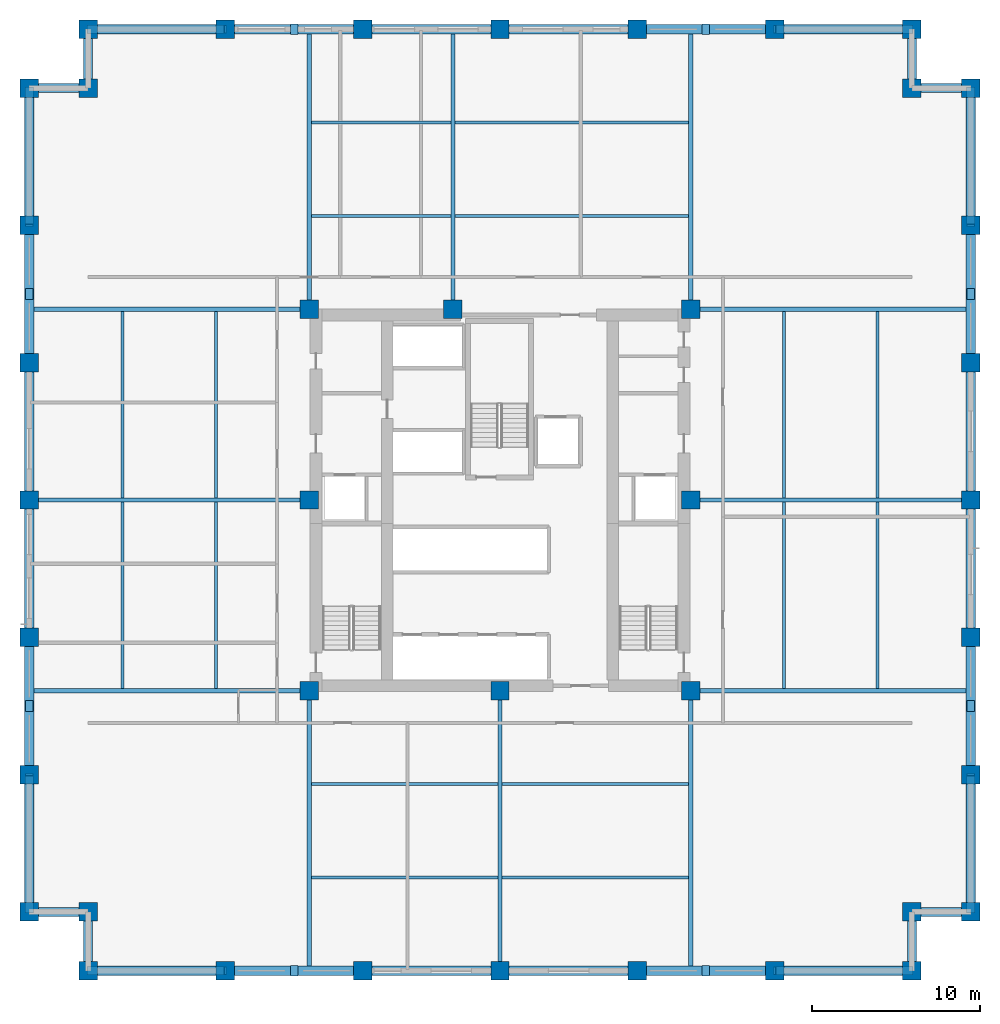
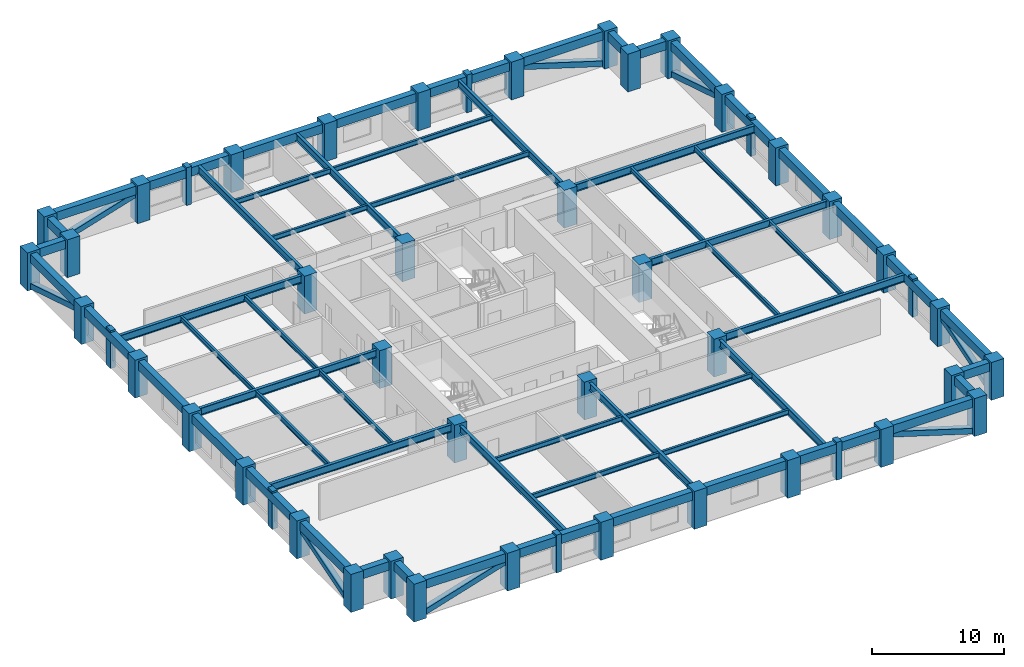
# One storey, part 1 of 9: 60 beams, 40 columns, 16 members.
"""IFC4 building model written with IfcOpenShell, lengths in metres."""

from ifc_helpers import new_model, si_unit, direction, frame, origin, origin_2d, place, context, subcontext, project, spatial, rectangle, hollow_rectangle, i_section, extrude, material, material_profile, profile_set, type_object, element, save


model = new_model("IFC4")

# Units and contexts
model_context = context("Model", 3, precision=1e-05, world=origin(), true_north=direction((0.0, 1.0)))
body_context = subcontext(model_context, "Body", "Model", "MODEL_VIEW")
ifc_project = project(units=[si_unit("LENGTHUNIT", "METRE"), si_unit("AREAUNIT", "SQUARE_METRE"), si_unit("VOLUMEUNIT", "CUBIC_METRE"), si_unit("PLANEANGLEUNIT", "RADIAN"), si_unit("MASSUNIT", "GRAM", prefix="KILO")], contexts=[model_context])

# Site, building, storey
site_placement = place(None, origin())
site = spatial("IfcSite", under=ifc_project, at=site_placement, CompositionType="ELEMENT")
building_placement = place(site_placement, origin())
building = spatial("IfcBuilding", under=site, at=building_placement, Name="Nhamokura Convention Tower", CompositionType="ELEMENT")
storey_placement = place(building_placement, frame((0.0, 0.0, 85.75)))
storey = spatial("IfcBuildingStorey", under=building, at=storey_placement, Name="L20", CompositionType="ELEMENT", Elevation=85.75)

# Columns
ifc_material_1 = material(Name="Concrete C60/75", Category="concrete")
ifc_material_profile_1 = material_profile(ifc_material_1, rectangle(XDim=1.10009765625, YDim=1.10009765625, at=origin_2d()))
ifc_profile_set_1 = profile_set([ifc_material_profile_1], Name="Concrete C60/75")
column_type = type_object("IfcColumnType", Name="TubeColumn_Z1_1100", PredefinedType="COLUMN", material=ifc_profile_set_1)
for number, where, z_axis, x_axis, name in (
    (1, (20.64990234375, 20.64990234375, 0.0), (0.0, 0.0, 1.0), (1.0, 0.0, 0.0), "L20 Core Column CC-SW"),
    (2, (32.0, 20.64990234375, 0.0), (0.0, 0.0, 1.0), (1.0, 0.0, 0.0), "L20 Core Column CC-S"),
    (3, (43.35009765625, 20.64990234375, 0.0), (0.0, 0.0, 1.0), (1.0, 0.0, 0.0), "L20 Core Column CC-SE"),
    (4, (43.35009765625, 32.0, 0.0), (0.0, 0.0, 1.0), (1.0, 0.0, 0.0), "L20 Core Column CC-E"),
    (5, (43.35009765625, 43.35009765625, 0.0), (0.0, 0.0, 1.0), (1.0, 0.0, 0.0), "L20 Core Column CC-NE"),
    (6, (29.199951171875, 43.35009765625, 0.0), (0.0, 0.0, 1.0), (1.0, 0.0, 0.0), "L20 Core Column CC-N"),
    (7, (20.64990234375, 43.35009765625, 0.0), (0.0, 0.0, 1.0), (1.0, 0.0, 0.0), "L20 Core Column CC-NW"),
    (8, (20.64990234375, 32.0, 0.0), (0.0, 0.0, 1.0), (1.0, 0.0, 0.0), "L20 Core Column CC-W"),
    (9, (7.5, 4.0, 0.0), (0.0, 0.0, 1.0), (1.0, 0.0, 0.0), "L20 Perimeter Tube Column SW1"),
    (10, (7.5, 7.5, 0.0), (0.0, 0.0, 1.0), (1.0, 0.0, 0.0), "L20 Perimeter Tube Column SW0"),
    (11, (4.0, 7.5, 0.0), (0.0, 0.0, 1.0), (1.0, 0.0, 0.0), "L20 Perimeter Tube Column SW2"),
    (12, (56.5, 4.0, 0.0), (0.0, 0.0, 1.0), (1.0, 0.0, 0.0), "L20 Perimeter Tube Column SE1"),
    (13, (56.5, 7.5, 0.0), (0.0, 0.0, 1.0), (1.0, 0.0, 0.0), "L20 Perimeter Tube Column SE0"),
    (14, (60.0, 7.5, 0.0), (0.0, 0.0, 1.0), (1.0, 0.0, 0.0), "L20 Perimeter Tube Column SE2"),
    (15, (60.0, 56.5, 0.0), (0.0, 0.0, 1.0), (1.0, 0.0, 0.0), "L20 Perimeter Tube Column NE1"),
    (16, (56.5, 56.5, 0.0), (0.0, 0.0, 1.0), (1.0, 0.0, 0.0), "L20 Perimeter Tube Column NE0"),
    (17, (56.5, 60.0, 0.0), (0.0, 0.0, 1.0), (1.0, 0.0, 0.0), "L20 Perimeter Tube Column NE2"),
    (18, (7.5, 60.0, 0.0), (0.0, 0.0, 1.0), (1.0, 0.0, 0.0), "L20 Perimeter Tube Column NW1"),
    (19, (7.5, 56.5, 0.0), (0.0, 0.0, 1.0), (1.0, 0.0, 0.0), "L20 Perimeter Tube Column NW0"),
    (20, (4.0, 56.5, 0.0), (0.0, 0.0, 1.0), (1.0, 0.0, 0.0), "L20 Perimeter Tube Column NW2"),
    (21, (15.666748046875, 4.0, 0.0), (0.0, 0.0, 1.0), (1.0, 0.0, 0.0), "L20 Perimeter Tube Column S1"),
    (22, (15.666748046875, 60.0, 0.0), (0.0, 0.0, 1.0), (1.0, 0.0, 0.0), "L20 Perimeter Tube Column N1"),
    (23, (4.0, 15.666748046875, 0.0), (0.0, 0.0, 1.0), (1.0, 0.0, 0.0), "L20 Perimeter Tube Column W1"),
    (24, (60.0, 15.666748046875, 0.0), (0.0, 0.0, 1.0), (1.0, 0.0, 0.0), "L20 Perimeter Tube Column E1"),
    (25, (23.833251953125, 4.0, 0.0), (0.0, 0.0, 1.0), (1.0, 0.0, 0.0), "L20 Perimeter Tube Column S2"),
    (26, (23.833251953125, 60.0, 0.0), (0.0, 0.0, 1.0), (1.0, 0.0, 0.0), "L20 Perimeter Tube Column N2"),
    (27, (4.0, 23.833251953125, 0.0), (0.0, 0.0, 1.0), (1.0, 0.0, 0.0), "L20 Perimeter Tube Column W2"),
    (28, (60.0, 23.833251953125, 0.0), (0.0, 0.0, 1.0), (1.0, 0.0, 0.0), "L20 Perimeter Tube Column E2"),
    (29, (32.0, 4.0, 0.0), (0.0, 0.0, 1.0), (1.0, 0.0, 0.0), "L20 Perimeter Tube Column S3"),
    (30, (32.0, 60.0, 0.0), (0.0, 0.0, 1.0), (1.0, 0.0, 0.0), "L20 Perimeter Tube Column N3"),
    (31, (4.0, 32.0, 0.0), (0.0, 0.0, 1.0), (1.0, 0.0, 0.0), "L20 Perimeter Tube Column W3"),
    (32, (60.0, 32.0, 0.0), (0.0, 0.0, 1.0), (1.0, 0.0, 0.0), "L20 Perimeter Tube Column E3"),
    (33, (40.166748046875, 4.0, 0.0), (0.0, 0.0, 1.0), (1.0, 0.0, 0.0), "L20 Perimeter Tube Column S4"),
    (34, (40.166748046875, 60.0, 0.0), (0.0, 0.0, 1.0), (1.0, 0.0, 0.0), "L20 Perimeter Tube Column N4"),
    (35, (4.0, 40.166748046875, 0.0), (0.0, 0.0, 1.0), (1.0, 0.0, 0.0), "L20 Perimeter Tube Column W4"),
    (36, (60.0, 40.166748046875, 0.0), (0.0, 0.0, 1.0), (1.0, 0.0, 0.0), "L20 Perimeter Tube Column E4"),
    (37, (48.333251953125, 4.0, 0.0), (0.0, 0.0, 1.0), (1.0, 0.0, 0.0), "L20 Perimeter Tube Column S5"),
    (38, (48.333251953125, 60.0, 0.0), (0.0, 0.0, 1.0), (1.0, 0.0, 0.0), "L20 Perimeter Tube Column N5"),
    (39, (4.0, 48.333251953125, 0.0), (0.0, 0.0, 1.0), (1.0, 0.0, 0.0), "L20 Perimeter Tube Column W5"),
    (40, (60.0, 48.333251953125, 0.0), (0.0, 0.0, 1.0), (1.0, 0.0, 0.0), "L20 Perimeter Tube Column E5"),
):
    element("IfcColumn", number, at=place(storey_placement, frame(where, z_axis=z_axis, x_axis=x_axis)), inside=storey, type_object=column_type, Name=name, PredefinedType="COLUMN", context=body_context, shape_type="SweptSolid", body=[
        extrude(rectangle(XDim=1.10009765625, YDim=1.10009765625, at=origin_2d()), origin(), (0.0, 0.0, 1.0), 3.5),
    ])

# Members
ifc_material_2 = material(Name="Bronze-pigmented precast concrete C45/55", Category="concrete")
ifc_material_profile_2 = material_profile(ifc_material_2, rectangle(XDim=0.449951171875, YDim=0.64990234375, at=origin_2d()))
ifc_profile_set_2 = profile_set([ifc_material_profile_2], Name="Bronze-pigmented precast concrete C45/55")
member_type_1 = type_object("IfcMemberType", Name="BronzePilaster_650", PredefinedType="USERDEFINED", material=ifc_profile_set_2)
for number, where, z_axis, x_axis, name in (
    (41, (19.75, 4.0, 0.0), (0.0, 0.0, 1.0), (1.0, 0.0, 0.0), "L20 Engaged Frame Pilaster SOUTH 1"),
    (42, (44.25, 4.0, 0.0), (0.0, 0.0, 1.0), (1.0, 0.0, 0.0), "L20 Engaged Frame Pilaster SOUTH 4"),
    (43, (19.75, 60.0, 0.0), (0.0, 0.0, 1.0), (1.0, 0.0, 0.0), "L20 Engaged Frame Pilaster NORTH 1"),
    (44, (44.25, 60.0, 0.0), (0.0, 0.0, 1.0), (1.0, 0.0, 0.0), "L20 Engaged Frame Pilaster NORTH 4"),
    (45, (4.0, 19.75, 0.0), (0.0, 0.0, 1.0), (1.0, 0.0, 0.0), "L20 Engaged Frame Pilaster WEST 1"),
    (46, (4.0, 44.25, 0.0), (0.0, 0.0, 1.0), (1.0, 0.0, 0.0), "L20 Engaged Frame Pilaster WEST 4"),
    (47, (60.0, 19.75, 0.0), (0.0, 0.0, 1.0), (1.0, 0.0, 0.0), "L20 Engaged Frame Pilaster EAST 1"),
    (48, (60.0, 44.25, 0.0), (0.0, 0.0, 1.0), (1.0, 0.0, 0.0), "L20 Engaged Frame Pilaster EAST 4"),
):
    element("IfcMember", number, at=place(storey_placement, frame(where, z_axis=z_axis, x_axis=x_axis)), inside=storey, type_object=member_type_1, Name=name, ObjectType="PILASTER_TRIM", PredefinedType="USERDEFINED", context=body_context, shape_type="SweptSolid", body=[
        extrude(rectangle(XDim=0.449951171875, YDim=0.64990234375, at=origin_2d()), origin(), (0.0, 0.0, 1.0), 3.5),
    ])

# Beams
ifc_material_3 = material(Name="Steel ASTM A992 Gr 50", Category="steel")
ifc_material_profile_3 = material_profile(ifc_material_3, i_section(OverallWidth=0.18994140625, OverallDepth=0.45703125, WebThickness=0.009033203125, FlangeThickness=0.014404296875, at=origin_2d()))
ifc_profile_set_3 = profile_set([ifc_material_profile_3], Name="Steel ASTM A992 Gr 50")
beam_type_1 = type_object("IfcBeamType", Name="FloorJoist_W460X74", PredefinedType="JOIST", material=ifc_profile_set_3)
for number, where, z_axis, x_axis, name in (
    (49, (20.77587890625, 9.550048828125, 3.091552734375), (1.0, 0.0, 0.0), (0.0, 1.0, 0.0), "L20 Composite Floor Joist S1A"),
    (50, (32.1259765625, 9.550048828125, 3.091552734375), (1.0, 0.0, 0.0), (0.0, 1.0, 0.0), "L20 Composite Floor Joist S1B"),
    (51, (20.77587890625, 15.10009765625, 3.091552734375), (1.0, 0.0, 0.0), (0.0, 1.0, 0.0), "L20 Composite Floor Joist S2A"),
    (52, (32.1259765625, 15.10009765625, 3.091552734375), (1.0, 0.0, 0.0), (0.0, 1.0, 0.0), "L20 Composite Floor Joist S2B"),
):
    element("IfcBeam", number, at=place(storey_placement, frame(where, z_axis=z_axis, x_axis=x_axis)), inside=storey, type_object=beam_type_1, Name=name, PredefinedType="JOIST", context=body_context, shape_type="SweptSolid", body=[
        extrude(i_section(OverallWidth=0.18994140625, OverallDepth=0.45703125, WebThickness=0.009033203125, FlangeThickness=0.014404296875, at=origin_2d()), origin(), (0.0, 0.0, 1.0), 11.09814453125),
    ])
beam_1_placement = place(storey_placement, frame((20.77587890625, 48.89990234375, 3.091552734375), z_axis=(1.0, 0.0, 0.0), x_axis=(0.0, 1.0, 0.0)))
element("IfcBeam", 53, at=beam_1_placement, inside=storey, type_object=beam_type_1, Name="L20 Composite Floor Joist N1A", PredefinedType="JOIST", context=body_context, shape_type="SweptSolid", body=[
    extrude(i_section(OverallWidth=0.18994140625, OverallDepth=0.45703125, WebThickness=0.009033203125, FlangeThickness=0.014404296875, at=origin_2d()), origin(), (0.0, 0.0, 1.0), 8.298095703125),
])
beam_2_placement = place(storey_placement, frame((29.325927734375, 48.89990234375, 3.091552734375), z_axis=(1.0, 0.0, 0.0), x_axis=(0.0, 1.0, 0.0)))
element("IfcBeam", 54, at=beam_2_placement, inside=storey, type_object=beam_type_1, Name="L20 Composite Floor Joist N1B", PredefinedType="JOIST", context=body_context, shape_type="SweptSolid", body=[
    extrude(i_section(OverallWidth=0.18994140625, OverallDepth=0.45703125, WebThickness=0.009033203125, FlangeThickness=0.014404296875, at=origin_2d()), origin(), (0.0, 0.0, 1.0), 13.898193359375),
])
beam_3_placement = place(storey_placement, frame((20.77587890625, 54.449951171875, 3.091552734375), z_axis=(1.0, 0.0, 0.0), x_axis=(0.0, 1.0, 0.0)))
element("IfcBeam", 55, at=beam_3_placement, inside=storey, type_object=beam_type_1, Name="L20 Composite Floor Joist N2A", PredefinedType="JOIST", context=body_context, shape_type="SweptSolid", body=[
    extrude(i_section(OverallWidth=0.18994140625, OverallDepth=0.45703125, WebThickness=0.009033203125, FlangeThickness=0.014404296875, at=origin_2d()), origin(), (0.0, 0.0, 1.0), 8.298095703125),
])
beam_4_placement = place(storey_placement, frame((29.325927734375, 54.449951171875, 3.091552734375), z_axis=(1.0, 0.0, 0.0), x_axis=(0.0, 1.0, 0.0)))
element("IfcBeam", 56, at=beam_4_placement, inside=storey, type_object=beam_type_1, Name="L20 Composite Floor Joist N2B", PredefinedType="JOIST", context=body_context, shape_type="SweptSolid", body=[
    extrude(i_section(OverallWidth=0.18994140625, OverallDepth=0.45703125, WebThickness=0.009033203125, FlangeThickness=0.014404296875, at=origin_2d()), origin(), (0.0, 0.0, 1.0), 13.898193359375),
])
for number, where, z_axis, x_axis, name in (
    (57, (9.550048828125, 20.77587890625, 3.091552734375), (0.0, 1.0, 0.0), (-1.0, 0.0, 0.0), "L20 Composite Floor Joist W1A"),
    (58, (9.550048828125, 32.1259765625, 3.091552734375), (0.0, 1.0, 0.0), (-1.0, 0.0, 0.0), "L20 Composite Floor Joist W1B"),
    (59, (15.10009765625, 20.77587890625, 3.091552734375), (0.0, 1.0, 0.0), (-1.0, 0.0, 0.0), "L20 Composite Floor Joist W2A"),
    (60, (15.10009765625, 32.1259765625, 3.091552734375), (0.0, 1.0, 0.0), (-1.0, 0.0, 0.0), "L20 Composite Floor Joist W2B"),
    (61, (48.89990234375, 20.77587890625, 3.091552734375), (0.0, 1.0, 0.0), (-1.0, 0.0, 0.0), "L20 Composite Floor Joist E1A"),
    (62, (48.89990234375, 32.1259765625, 3.091552734375), (0.0, 1.0, 0.0), (-1.0, 0.0, 0.0), "L20 Composite Floor Joist E1B"),
    (63, (54.449951171875, 20.77587890625, 3.091552734375), (0.0, 1.0, 0.0), (-1.0, 0.0, 0.0), "L20 Composite Floor Joist E2A"),
    (64, (54.449951171875, 32.1259765625, 3.091552734375), (0.0, 1.0, 0.0), (-1.0, 0.0, 0.0), "L20 Composite Floor Joist E2B"),
):
    element("IfcBeam", number, at=place(storey_placement, frame(where, z_axis=z_axis, x_axis=x_axis)), inside=storey, type_object=beam_type_1, Name=name, PredefinedType="JOIST", context=body_context, shape_type="SweptSolid", body=[
        extrude(i_section(OverallWidth=0.18994140625, OverallDepth=0.45703125, WebThickness=0.009033203125, FlangeThickness=0.014404296875, at=origin_2d()), origin(), (0.0, 0.0, 1.0), 11.09814453125),
    ])
ifc_material_4 = material(Name="Steel ASTM A992 Gr 50", Category="steel")
ifc_material_profile_4 = material_profile(ifc_material_4, i_section(OverallWidth=0.256103515625, OverallDepth=0.693115234375, WebThickness=0.014404296875, FlangeThickness=0.023681640625, at=origin_2d()))
ifc_profile_set_4 = profile_set([ifc_material_profile_4], Name="Steel ASTM A992 Gr 50")
beam_type_2 = type_object("IfcBeamType", Name="PrimaryGirder_W690X170", PredefinedType="BEAM", material=ifc_profile_set_4)
for number, where, z_axis, x_axis, name in (
    (65, (20.64990234375, 4.0, 2.973388671875), (0.0, 1.0, 0.0), (-1.0, 0.0, 0.0), "L20 Primary Floor Girder PG-S1"),
    (66, (32.0, 4.0, 2.973388671875), (0.0, 1.0, 0.0), (-1.0, 0.0, 0.0), "L20 Primary Floor Girder PG-S2"),
    (67, (43.35009765625, 4.0, 2.973388671875), (0.0, 1.0, 0.0), (-1.0, 0.0, 0.0), "L20 Primary Floor Girder PG-S3"),
    (68, (20.64990234375, 43.35009765625, 2.973388671875), (0.0, 1.0, 0.0), (-1.0, 0.0, 0.0), "L20 Primary Floor Girder PG-N1"),
    (69, (29.199951171875, 43.35009765625, 2.973388671875), (0.0, 1.0, 0.0), (-1.0, 0.0, 0.0), "L20 Primary Floor Girder PG-N2"),
    (70, (43.35009765625, 43.35009765625, 2.973388671875), (0.0, 1.0, 0.0), (-1.0, 0.0, 0.0), "L20 Primary Floor Girder PG-N3"),
    (71, (4.0, 20.64990234375, 2.973388671875), (1.0, 0.0, 0.0), (0.0, 1.0, 0.0), "L20 Primary Floor Girder PG-W1"),
    (72, (4.0, 32.0, 2.973388671875), (1.0, 0.0, 0.0), (0.0, 1.0, 0.0), "L20 Primary Floor Girder PG-W2"),
    (73, (4.0, 43.35009765625, 2.973388671875), (1.0, 0.0, 0.0), (0.0, 1.0, 0.0), "L20 Primary Floor Girder PG-W3"),
    (74, (43.35009765625, 20.64990234375, 2.973388671875), (1.0, 0.0, 0.0), (0.0, 1.0, 0.0), "L20 Primary Floor Girder PG-E1"),
    (75, (43.35009765625, 32.0, 2.973388671875), (1.0, 0.0, 0.0), (0.0, 1.0, 0.0), "L20 Primary Floor Girder PG-E2"),
    (76, (43.35009765625, 43.35009765625, 2.973388671875), (1.0, 0.0, 0.0), (0.0, 1.0, 0.0), "L20 Primary Floor Girder PG-E3"),
):
    element("IfcBeam", number, at=place(storey_placement, frame(where, z_axis=z_axis, x_axis=x_axis)), inside=storey, type_object=beam_type_2, Name=name, PredefinedType="BEAM", context=body_context, shape_type="SweptSolid", body=[
        extrude(i_section(OverallWidth=0.256103515625, OverallDepth=0.693115234375, WebThickness=0.014404296875, FlangeThickness=0.023681640625, at=origin_2d()), origin(), (0.0, 0.0, 1.0), 16.64990234375),
    ])

# Members
ifc_material_5 = material(Name="Steel ASTM A572 Gr 50", Category="steel")
ifc_material_profile_5 = material_profile(ifc_material_5, hollow_rectangle(XDim=0.5, YDim=0.5, WallThickness=0.02490234375, at=origin_2d()))
ifc_profile_set_5 = profile_set([ifc_material_profile_5], Name="Steel ASTM A572 Gr 50")
member_type_2 = type_object("IfcMemberType", Name="TubeBrace_HSS500", PredefinedType="BRACE", material=ifc_profile_set_5)
for number, where, z_axis, x_axis, name in (
    (77, (7.5, 4.0, 0.14990234375), (0.955542765986, 0.0, 0.294852543437), (0.0, 1.0, 0.0), "L20 Perimeter Tube Brace SOUTH Bay 0"),
    (78, (56.5, 4.0, 0.14990234375), (-0.955542765986, 0.0, 0.294852543437), (0.0, -1.0, 0.0), "L20 Perimeter Tube Brace SOUTH Bay 5"),
    (79, (7.5, 60.0, 0.14990234375), (0.955542765986, 0.0, 0.294852543437), (0.0, 1.0, 0.0), "L20 Perimeter Tube Brace NORTH Bay 0"),
    (80, (56.5, 60.0, 0.14990234375), (-0.955542765986, 0.0, 0.294852543437), (0.0, -1.0, 0.0), "L20 Perimeter Tube Brace NORTH Bay 5"),
    (81, (4.0, 7.5, 0.14990234375), (0.0, 0.955542765986, 0.294852543437), (-1.0, 0.0, 0.0), "L20 Perimeter Tube Brace WEST Bay 0"),
    (82, (4.0, 56.5, 0.14990234375), (0.0, -0.955542765986, 0.294852543437), (1.0, 0.0, 0.0), "L20 Perimeter Tube Brace WEST Bay 5"),
    (83, (60.0, 7.5, 0.14990234375), (0.0, 0.955542765986, 0.294852543437), (-1.0, 0.0, 0.0), "L20 Perimeter Tube Brace EAST Bay 0"),
    (84, (60.0, 56.5, 0.14990234375), (0.0, -0.955542765986, 0.294852543437), (1.0, 0.0, 0.0), "L20 Perimeter Tube Brace EAST Bay 5"),
):
    element("IfcMember", number, at=place(storey_placement, frame(where, z_axis=z_axis, x_axis=x_axis)), inside=storey, type_object=member_type_2, Name=name, PredefinedType="BRACE", context=body_context, shape_type="SweptSolid", body=[
        extrude(hollow_rectangle(XDim=0.5, YDim=0.5, WallThickness=0.02490234375, at=origin_2d()), origin(), (0.0, 0.0, 1.0), 8.546630859375),
    ])

# Beams
ifc_material_6 = material(Name="Concrete C50/60", Category="concrete")
ifc_material_profile_6 = material_profile(ifc_material_6, rectangle(XDim=0.550048828125, YDim=0.800048828125, at=origin_2d()))
ifc_profile_set_6 = profile_set([ifc_material_profile_6], Name="Concrete C50/60")
beam_type_3 = type_object("IfcBeamType", Name="TubeSpandrel_800", PredefinedType="SPANDREL", material=ifc_profile_set_6)
beam_5_placement = place(storey_placement, frame((7.5, 4.0, 2.919921875), z_axis=(1.0, 0.0, 0.0), x_axis=(0.0, 1.0, 0.0)))
element("IfcBeam", 85, at=beam_5_placement, inside=storey, type_object=beam_type_3, Name="L20 Perimeter Spandrel SOUTH 1", PredefinedType="SPANDREL", context=body_context, shape_type="SweptSolid", body=[
    extrude(rectangle(XDim=0.550048828125, YDim=0.800048828125, at=origin_2d()), origin(), (0.0, 0.0, 1.0), 8.166748046875),
])
beam_6_placement = place(storey_placement, frame((15.666748046875, 4.0, 2.919921875), z_axis=(1.0, 0.0, 0.0), x_axis=(0.0, 1.0, 0.0)))
element("IfcBeam", 86, at=beam_6_placement, inside=storey, type_object=beam_type_3, Name="L20 Perimeter Spandrel SOUTH 2", PredefinedType="SPANDREL", context=body_context, shape_type="SweptSolid", body=[
    extrude(rectangle(XDim=0.550048828125, YDim=0.800048828125, at=origin_2d()), origin(), (0.0, 0.0, 1.0), 8.16650390625),
])
for number, where, z_axis, x_axis, name in (
    (87, (23.833251953125, 4.0, 2.919921875), (1.0, 0.0, 0.0), (0.0, 1.0, 0.0), "L20 Perimeter Spandrel SOUTH 3"),
    (88, (32.0, 4.0, 2.919921875), (1.0, 0.0, 0.0), (0.0, 1.0, 0.0), "L20 Perimeter Spandrel SOUTH 4"),
):
    element("IfcBeam", number, at=place(storey_placement, frame(where, z_axis=z_axis, x_axis=x_axis)), inside=storey, type_object=beam_type_3, Name=name, PredefinedType="SPANDREL", context=body_context, shape_type="SweptSolid", body=[
        extrude(rectangle(XDim=0.550048828125, YDim=0.800048828125, at=origin_2d()), origin(), (0.0, 0.0, 1.0), 8.166748046875),
    ])
beam_7_placement = place(storey_placement, frame((40.166748046875, 4.0, 2.919921875), z_axis=(1.0, 0.0, 0.0), x_axis=(0.0, 1.0, 0.0)))
element("IfcBeam", 89, at=beam_7_placement, inside=storey, type_object=beam_type_3, Name="L20 Perimeter Spandrel SOUTH 5", PredefinedType="SPANDREL", context=body_context, shape_type="SweptSolid", body=[
    extrude(rectangle(XDim=0.550048828125, YDim=0.800048828125, at=origin_2d()), origin(), (0.0, 0.0, 1.0), 8.16650390625),
])
for number, where, z_axis, x_axis, name in (
    (90, (48.333251953125, 4.0, 2.919921875), (1.0, 0.0, 0.0), (0.0, 1.0, 0.0), "L20 Perimeter Spandrel SOUTH 6"),
    (91, (7.5, 60.0, 2.919921875), (1.0, 0.0, 0.0), (0.0, 1.0, 0.0), "L20 Perimeter Spandrel NORTH 1"),
):
    element("IfcBeam", number, at=place(storey_placement, frame(where, z_axis=z_axis, x_axis=x_axis)), inside=storey, type_object=beam_type_3, Name=name, PredefinedType="SPANDREL", context=body_context, shape_type="SweptSolid", body=[
        extrude(rectangle(XDim=0.550048828125, YDim=0.800048828125, at=origin_2d()), origin(), (0.0, 0.0, 1.0), 8.166748046875),
    ])
beam_8_placement = place(storey_placement, frame((15.666748046875, 60.0, 2.919921875), z_axis=(1.0, 0.0, 0.0), x_axis=(0.0, 1.0, 0.0)))
element("IfcBeam", 92, at=beam_8_placement, inside=storey, type_object=beam_type_3, Name="L20 Perimeter Spandrel NORTH 2", PredefinedType="SPANDREL", context=body_context, shape_type="SweptSolid", body=[
    extrude(rectangle(XDim=0.550048828125, YDim=0.800048828125, at=origin_2d()), origin(), (0.0, 0.0, 1.0), 8.16650390625),
])
for number, where, z_axis, x_axis, name in (
    (93, (23.833251953125, 60.0, 2.919921875), (1.0, 0.0, 0.0), (0.0, 1.0, 0.0), "L20 Perimeter Spandrel NORTH 3"),
    (94, (32.0, 60.0, 2.919921875), (1.0, 0.0, 0.0), (0.0, 1.0, 0.0), "L20 Perimeter Spandrel NORTH 4"),
):
    element("IfcBeam", number, at=place(storey_placement, frame(where, z_axis=z_axis, x_axis=x_axis)), inside=storey, type_object=beam_type_3, Name=name, PredefinedType="SPANDREL", context=body_context, shape_type="SweptSolid", body=[
        extrude(rectangle(XDim=0.550048828125, YDim=0.800048828125, at=origin_2d()), origin(), (0.0, 0.0, 1.0), 8.166748046875),
    ])
beam_9_placement = place(storey_placement, frame((40.166748046875, 60.0, 2.919921875), z_axis=(1.0, 0.0, 0.0), x_axis=(0.0, 1.0, 0.0)))
element("IfcBeam", 95, at=beam_9_placement, inside=storey, type_object=beam_type_3, Name="L20 Perimeter Spandrel NORTH 5", PredefinedType="SPANDREL", context=body_context, shape_type="SweptSolid", body=[
    extrude(rectangle(XDim=0.550048828125, YDim=0.800048828125, at=origin_2d()), origin(), (0.0, 0.0, 1.0), 8.16650390625),
])
for number, where, z_axis, x_axis, name in (
    (96, (48.333251953125, 60.0, 2.919921875), (1.0, 0.0, 0.0), (0.0, 1.0, 0.0), "L20 Perimeter Spandrel NORTH 6"),
    (97, (4.0, 7.5, 2.919921875), (0.0, 1.0, 0.0), (-1.0, 0.0, 0.0), "L20 Perimeter Spandrel WEST 1"),
):
    element("IfcBeam", number, at=place(storey_placement, frame(where, z_axis=z_axis, x_axis=x_axis)), inside=storey, type_object=beam_type_3, Name=name, PredefinedType="SPANDREL", context=body_context, shape_type="SweptSolid", body=[
        extrude(rectangle(XDim=0.550048828125, YDim=0.800048828125, at=origin_2d()), origin(), (0.0, 0.0, 1.0), 8.166748046875),
    ])
beam_10_placement = place(storey_placement, frame((4.0, 15.666748046875, 2.919921875), z_axis=(0.0, 1.0, 0.0), x_axis=(-1.0, 0.0, 0.0)))
element("IfcBeam", 98, at=beam_10_placement, inside=storey, type_object=beam_type_3, Name="L20 Perimeter Spandrel WEST 2", PredefinedType="SPANDREL", context=body_context, shape_type="SweptSolid", body=[
    extrude(rectangle(XDim=0.550048828125, YDim=0.800048828125, at=origin_2d()), origin(), (0.0, 0.0, 1.0), 8.16650390625),
])
for number, where, z_axis, x_axis, name in (
    (99, (4.0, 23.833251953125, 2.919921875), (0.0, 1.0, 0.0), (-1.0, 0.0, 0.0), "L20 Perimeter Spandrel WEST 3"),
    (100, (4.0, 32.0, 2.919921875), (0.0, 1.0, 0.0), (-1.0, 0.0, 0.0), "L20 Perimeter Spandrel WEST 4"),
):
    element("IfcBeam", number, at=place(storey_placement, frame(where, z_axis=z_axis, x_axis=x_axis)), inside=storey, type_object=beam_type_3, Name=name, PredefinedType="SPANDREL", context=body_context, shape_type="SweptSolid", body=[
        extrude(rectangle(XDim=0.550048828125, YDim=0.800048828125, at=origin_2d()), origin(), (0.0, 0.0, 1.0), 8.166748046875),
    ])
beam_11_placement = place(storey_placement, frame((4.0, 40.166748046875, 2.919921875), z_axis=(0.0, 1.0, 0.0), x_axis=(-1.0, 0.0, 0.0)))
element("IfcBeam", 101, at=beam_11_placement, inside=storey, type_object=beam_type_3, Name="L20 Perimeter Spandrel WEST 5", PredefinedType="SPANDREL", context=body_context, shape_type="SweptSolid", body=[
    extrude(rectangle(XDim=0.550048828125, YDim=0.800048828125, at=origin_2d()), origin(), (0.0, 0.0, 1.0), 8.16650390625),
])
for number, where, z_axis, x_axis, name in (
    (102, (4.0, 48.333251953125, 2.919921875), (0.0, 1.0, 0.0), (-1.0, 0.0, 0.0), "L20 Perimeter Spandrel WEST 6"),
    (103, (60.0, 7.5, 2.919921875), (0.0, 1.0, 0.0), (-1.0, 0.0, 0.0), "L20 Perimeter Spandrel EAST 1"),
):
    element("IfcBeam", number, at=place(storey_placement, frame(where, z_axis=z_axis, x_axis=x_axis)), inside=storey, type_object=beam_type_3, Name=name, PredefinedType="SPANDREL", context=body_context, shape_type="SweptSolid", body=[
        extrude(rectangle(XDim=0.550048828125, YDim=0.800048828125, at=origin_2d()), origin(), (0.0, 0.0, 1.0), 8.166748046875),
    ])
beam_12_placement = place(storey_placement, frame((60.0, 15.666748046875, 2.919921875), z_axis=(0.0, 1.0, 0.0), x_axis=(-1.0, 0.0, 0.0)))
element("IfcBeam", 104, at=beam_12_placement, inside=storey, type_object=beam_type_3, Name="L20 Perimeter Spandrel EAST 2", PredefinedType="SPANDREL", context=body_context, shape_type="SweptSolid", body=[
    extrude(rectangle(XDim=0.550048828125, YDim=0.800048828125, at=origin_2d()), origin(), (0.0, 0.0, 1.0), 8.16650390625),
])
for number, where, z_axis, x_axis, name in (
    (105, (60.0, 23.833251953125, 2.919921875), (0.0, 1.0, 0.0), (-1.0, 0.0, 0.0), "L20 Perimeter Spandrel EAST 3"),
    (106, (60.0, 32.0, 2.919921875), (0.0, 1.0, 0.0), (-1.0, 0.0, 0.0), "L20 Perimeter Spandrel EAST 4"),
):
    element("IfcBeam", number, at=place(storey_placement, frame(where, z_axis=z_axis, x_axis=x_axis)), inside=storey, type_object=beam_type_3, Name=name, PredefinedType="SPANDREL", context=body_context, shape_type="SweptSolid", body=[
        extrude(rectangle(XDim=0.550048828125, YDim=0.800048828125, at=origin_2d()), origin(), (0.0, 0.0, 1.0), 8.166748046875),
    ])
beam_13_placement = place(storey_placement, frame((60.0, 40.166748046875, 2.919921875), z_axis=(0.0, 1.0, 0.0), x_axis=(-1.0, 0.0, 0.0)))
element("IfcBeam", 107, at=beam_13_placement, inside=storey, type_object=beam_type_3, Name="L20 Perimeter Spandrel EAST 5", PredefinedType="SPANDREL", context=body_context, shape_type="SweptSolid", body=[
    extrude(rectangle(XDim=0.550048828125, YDim=0.800048828125, at=origin_2d()), origin(), (0.0, 0.0, 1.0), 8.16650390625),
])
beam_14_placement = place(storey_placement, frame((60.0, 48.333251953125, 2.919921875), z_axis=(0.0, 1.0, 0.0), x_axis=(-1.0, 0.0, 0.0)))
element("IfcBeam", 108, at=beam_14_placement, inside=storey, type_object=beam_type_3, Name="L20 Perimeter Spandrel EAST 6", PredefinedType="SPANDREL", context=body_context, shape_type="SweptSolid", body=[
    extrude(rectangle(XDim=0.550048828125, YDim=0.800048828125, at=origin_2d()), origin(), (0.0, 0.0, 1.0), 8.166748046875),
])
for number, where, z_axis, x_axis, name in (
    (109, (7.5, 4.0, 2.919921875), (0.0, 1.0, 0.0), (-1.0, 0.0, 0.0), "L20 Notch Spandrel SW1"),
    (110, (7.5, 7.5, 2.919921875), (-1.0, 0.0, 0.0), (0.0, -1.0, 0.0), "L20 Notch Spandrel SW2"),
    (111, (56.5, 4.0, 2.919921875), (0.0, 1.0, 0.0), (-1.0, 0.0, 0.0), "L20 Notch Spandrel SE1"),
    (112, (56.5, 7.5, 2.919921875), (1.0, 0.0, 0.0), (0.0, 1.0, 0.0), "L20 Notch Spandrel SE2"),
    (113, (60.0, 56.5, 2.919921875), (-1.0, 0.0, 0.0), (0.0, -1.0, 0.0), "L20 Notch Spandrel NE1"),
    (114, (56.5, 56.5, 2.919921875), (0.0, 1.0, 0.0), (-1.0, 0.0, 0.0), "L20 Notch Spandrel NE2"),
    (115, (7.5, 60.0, 2.919921875), (0.0, -1.0, 0.0), (1.0, 0.0, 0.0), "L20 Notch Spandrel NW1"),
    (116, (7.5, 56.5, 2.919921875), (-1.0, 0.0, 0.0), (0.0, -1.0, 0.0), "L20 Notch Spandrel NW2"),
):
    element("IfcBeam", number, at=place(storey_placement, frame(where, z_axis=z_axis, x_axis=x_axis)), inside=storey, type_object=beam_type_3, Name=name, PredefinedType="SPANDREL", context=body_context, shape_type="SweptSolid", body=[
        extrude(rectangle(XDim=0.550048828125, YDim=0.800048828125, at=origin_2d()), origin(), (0.0, 0.0, 1.0), 3.5),
    ])

save(model, "model.ifc")
